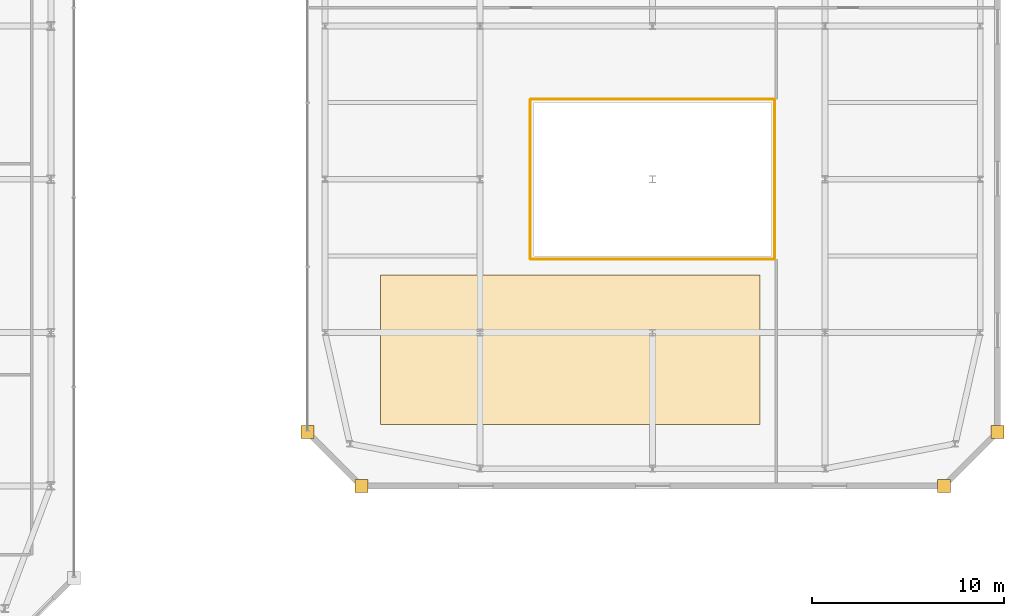
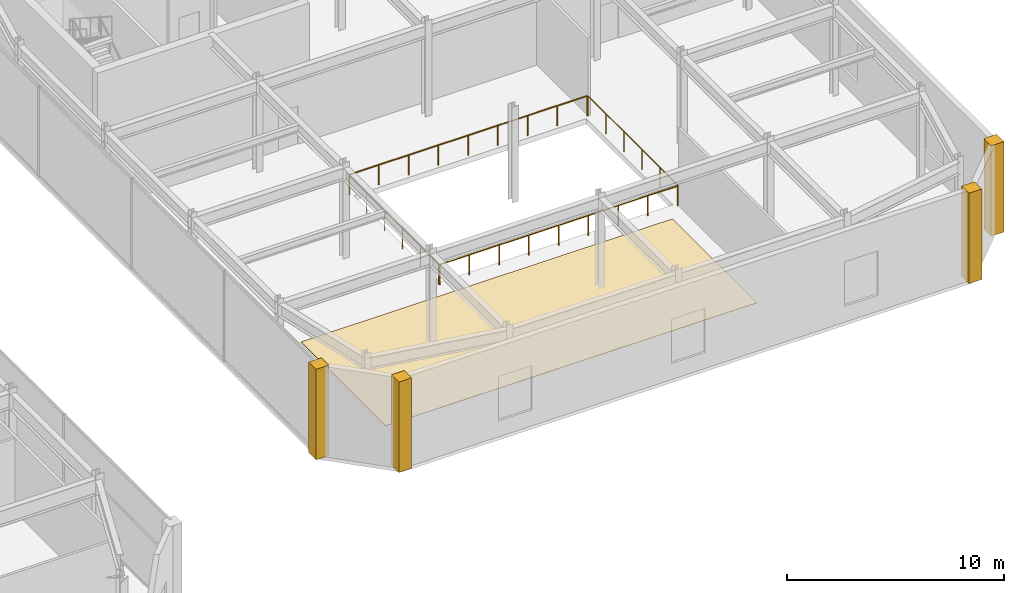
# One storey, part 50 of 52: 5 coverings, 4 railings.
"""IFC4 building model written with IfcOpenShell, lengths in metres."""

import ifcopenshell
import ifcopenshell.guid

model = None  # the IFC model being written
_history = None  # IfcOwnerHistory: only IFC2X3 demands one
_inside = {}  # id of a spatial element -> (the spatial element, [elements in it])
_under = {}  # id of a project, library or spatial element -> (it, [spatial elements below it])
_declared = {}  # id of a project -> (the project, [libraries it declares])
_typed = {}  # id of a type object -> (the type object, [elements of that type])
_made_of = {}  # id of a material, layer set ... -> (it, [elements and type objects made of it])


def new_model(schema):
    """Start an empty IFC model of exactly this schema.

    Asked for "IFC4X3", IfcOpenShell would pick the latest addendum, in which some entities
    have other attributes; the version numbers below select the first issue.
    IFC2X3 requires an IfcOwnerHistory on every rooted entity: one is made here for all.
    """
    global model, _history
    if schema == "IFC4X3":
        model = ifcopenshell.file(schema_version=(4, 3, 0, 0))
    else:
        model = ifcopenshell.file(schema=schema)
    _inside.clear()
    _under.clear()
    _declared.clear()
    _typed.clear()
    _made_of.clear()
    _history = None
    if model.schema == "IFC2X3":
        org = make("IfcOrganization", Name="unknown")
        user = make(
            "IfcPersonAndOrganization",
            ThePerson=make("IfcPerson", FamilyName="unknown"),
            TheOrganization=org,
        )
        app = make(
            "IfcApplication",
            ApplicationDeveloper=org,
            Version="unknown",
            ApplicationFullName="unknown",
            ApplicationIdentifier="unknown",
        )
        _history = make(
            "IfcOwnerHistory",
            OwningUser=user,
            OwningApplication=app,
            ChangeAction="ADDED",
            CreationDate=0,
        )
    return model


def make(cls, **values):
    """One entity of the class cls with the attributes given. An attribute that is None is left unset."""
    return model.create_entity(
        cls, **{name: value for name, value in values.items() if value is not None}
    )


def rooted(cls, **values):
    """An entity with a GlobalId (a new one), such as an element, a storey or a relation."""
    return make(cls, GlobalId=ifcopenshell.guid.new(), OwnerHistory=_history, **values)


def si_unit(unit_type, name, prefix=None):
    """IfcSIUnit, for example si_unit("LENGTHUNIT", "METRE", prefix="MILLI")."""
    return make("IfcSIUnit", UnitType=unit_type, Prefix=prefix, Name=name)


def assignment(units):
    """IfcUnitAssignment: the units of a project."""
    return None if units is None else make("IfcUnitAssignment", Units=units)


def point(xyz):
    """IfcCartesianPoint."""
    return None if xyz is None else make("IfcCartesianPoint", Coordinates=xyz)


def direction(xyz):
    """IfcDirection."""
    return None if xyz is None else make("IfcDirection", DirectionRatios=xyz)


def frame(location, z_axis=None, x_axis=None):
    """IfcAxis2Placement3D, a coordinate frame: its origin and axes. An axis left out is left unset."""
    return make(
        "IfcAxis2Placement3D",
        Location=point(location),
        Axis=direction(z_axis),
        RefDirection=direction(x_axis),
    )


def frame_2d(location, x_axis=None):
    """IfcAxis2Placement2D, a coordinate frame in the plane: its origin and x axis."""
    return make(
        "IfcAxis2Placement2D", Location=point(location), RefDirection=direction(x_axis)
    )


def origin():
    """The frame at (0, 0, 0) with its axes left unset."""
    return frame((0.0, 0.0, 0.0))


def origin_2d():
    """The frame at (0, 0) in the plane with its x axis left unset."""
    return frame_2d((0.0, 0.0))


def place(relative_to, where):
    """IfcLocalPlacement: puts the frame where relative to a parent placement (None: the world)."""
    return make(
        "IfcLocalPlacement", PlacementRelTo=relative_to, RelativePlacement=where
    )


def context(
    kind, dimensions, precision=None, world=None, true_north=None, identifier=None
):
    """IfcGeometricRepresentationContext, for example the 3D "Model" context."""
    return make(
        "IfcGeometricRepresentationContext",
        ContextIdentifier=identifier,
        ContextType=kind,
        CoordinateSpaceDimension=dimensions,
        Precision=precision,
        WorldCoordinateSystem=world,
        TrueNorth=true_north,
    )


def subcontext(parent, identifier, kind, view, scale=None):
    """IfcGeometricRepresentationSubContext, for example "Body" below "Model"."""
    return make(
        "IfcGeometricRepresentationSubContext",
        ContextIdentifier=identifier,
        ContextType=kind,
        ParentContext=parent,
        TargetScale=scale,
        TargetView=view,
    )


def project(units=None, contexts=None):
    """IfcProject with its units and contexts."""
    return rooted(
        "IfcProject",
        Name="project",
        RepresentationContexts=contexts,
        UnitsInContext=assignment(units),
    )


def spatial(cls, under=None, at=None, **own):
    """A site, building, storey or space (cls), placed at a placement, below another one or the project."""
    s = rooted(cls, ObjectPlacement=at, **own)
    if under is not None:
        _under.setdefault(under.id(), (under, []))[1].append(s)
    return s


def polyline(points):
    """IfcPolyline through the points."""
    return make("IfcPolyline", Points=[point(p) for p in points])


def profile(cls, at=None, kind="AREA", **sizes):
    """A parametric profile (cls). Its sizes go by their IFC names, for example OverallWidth=200.0."""
    return make(cls, ProfileType=kind, Position=at, **sizes)


def circle(**sizes):
    """IfcCircleProfileDef."""
    return profile("IfcCircleProfileDef", **sizes)


def outline(outer, holes=None, kind="AREA"):
    """IfcArbitraryClosedProfileDef: a profile drawn as a closed curve; with holes, ...WithVoids."""
    if holes is None:
        return make("IfcArbitraryClosedProfileDef", ProfileType=kind, OuterCurve=outer)
    return make(
        "IfcArbitraryProfileDefWithVoids",
        ProfileType=kind,
        OuterCurve=outer,
        InnerCurves=holes,
    )


def extrude(swept, where, along, depth):
    """IfcExtrudedAreaSolid: the profile swept, set in the frame where, extruded along a direction by depth."""
    return make(
        "IfcExtrudedAreaSolid",
        SweptArea=swept,
        Position=where,
        ExtrudedDirection=direction(along),
        Depth=depth,
    )


def shape(context_of_items, identifier, shape_type, items):
    """IfcShapeRepresentation: the items that make up one representation, for example the "Body"."""
    return make(
        "IfcShapeRepresentation",
        ContextOfItems=context_of_items,
        RepresentationIdentifier=identifier,
        RepresentationType=shape_type,
        Items=items,
    )


def material(Name=None, Category=None):
    """IfcMaterial."""
    return make("IfcMaterial", Name=Name, Category=Category)


def layer(
    of_material, thickness, ventilated=None, Name=None, Category=None, Priority=None
):
    """IfcMaterialLayer: one layer of a wall or slab, of a material (None: an air gap)."""
    return make(
        "IfcMaterialLayer",
        Material=of_material,
        LayerThickness=thickness,
        IsVentilated=ventilated,
        Name=Name,
        Category=Category,
        Priority=Priority,
    )


def layer_set(layers, Name=None):
    """IfcMaterialLayerSet."""
    return make("IfcMaterialLayerSet", MaterialLayers=layers, LayerSetName=Name)


def made_of(thing, what):
    """Note that an element or type object is made of a material, layer set ...; save() writes the relation."""
    if what is not None:
        _made_of.setdefault(what.id(), (what, []))[1].append(thing)
    return thing


def type_object(cls, material=None, **own):
    """A type object (cls), such as IfcWallType, which elements share."""
    return made_of(rooted(cls, **own), material)


def element(
    cls,
    number,
    at=None,
    inside=None,
    cuts=None,
    type_object=None,
    material=None,
    context=None,
    identifier="Body",
    shape_type=None,
    held_by="IfcProductDefinitionShape",
    body=None,
    shapes=None,
    **own,
):
    """One element of the class cls, such as IfcWall. Its Tag is "e" and its number.

    at: its placement. inside: the storey or other place that contains it. cuts: it is an
    opening in that element (IfcRelVoidsElement). A single representation is given by context,
    identifier, shape_type and body (its items); several are given by shapes. held_by: the class
    of the entity that holds the representations. save() writes the other relations.
    """
    e = rooted(cls, Tag="e%d" % number, ObjectPlacement=at, **own)
    if body is not None:
        shapes = [shape(context, identifier, shape_type, body)]
    if shapes is not None:
        e.Representation = make(held_by, Representations=shapes)
    if inside is not None:
        _inside.setdefault(inside.id(), (inside, []))[1].append(e)
    if cuts is not None:
        rooted(
            "IfcRelVoidsElement", RelatingBuildingElement=cuts, RelatedOpeningElement=e
        )
    if type_object is not None:
        _typed.setdefault(type_object.id(), (type_object, []))[1].append(e)
    return made_of(e, material)


def aggregate(whole, parts):
    """IfcRelAggregates: a whole, such as a stair, and the parts it consists of."""
    return rooted("IfcRelAggregates", RelatingObject=whole, RelatedObjects=parts)


def save(model, path):
    """Write the relations noted so far, then the file.

    IfcRelAggregates (storeys below a building ...), IfcRelContainedInSpatialStructure (elements
    in a storey), IfcRelDefinesByType, IfcRelAssociatesMaterial and IfcRelDeclares: one each for
    every whole, place, type object, material and project.
    """
    for whole, parts in _under.values():
        aggregate(whole, parts)
    for where, things in _inside.values():
        rooted(
            "IfcRelContainedInSpatialStructure",
            RelatedElements=things,
            RelatingStructure=where,
        )
    for kind, things in _typed.values():
        rooted("IfcRelDefinesByType", RelatedObjects=things, RelatingType=kind)
    for what, things in _made_of.values():
        rooted("IfcRelAssociatesMaterial", RelatedObjects=things, RelatingMaterial=what)
    for by, libraries in _declared.values():
        rooted("IfcRelDeclares", RelatingContext=by, RelatedDefinitions=libraries)
    model.write(path)


model = new_model("IFC4")

# Units and contexts
model_context = context("Model", 3, precision=1e-05, world=origin(), true_north=direction((0.0, 1.0)))
body_context = subcontext(model_context, "Body", "Model", "MODEL_VIEW")
ifc_project = project(units=[si_unit("LENGTHUNIT", "METRE"), si_unit("AREAUNIT", "SQUARE_METRE"), si_unit("VOLUMEUNIT", "CUBIC_METRE"), si_unit("PLANEANGLEUNIT", "RADIAN"), si_unit("MASSUNIT", "GRAM", prefix="KILO")], contexts=[model_context])

# Site, building, storey
site_placement = place(None, origin())
site = spatial("IfcSite", under=ifc_project, at=site_placement, CompositionType="ELEMENT")
building_placement = place(site_placement, origin())
building = spatial("IfcBuilding", under=site, at=building_placement, Name="Saevonmaru Cultural Tower", CompositionType="ELEMENT")
storey_placement = place(building_placement, frame((0.0, 0.0, 16.800048828125)))
storey = spatial("IfcBuildingStorey", under=building, at=storey_placement, Name="L03", CompositionType="ELEMENT", Elevation=16.800048828125)

# Coverings
ifc_material_1 = material(Name="Satin Bronze Anodised Aluminium", Category="aluminium")
ifc_layer_1 = layer(ifc_material_1, 0.679931640625, Name="Satin Bronze Anodised Aluminium")
ifc_layer_set_1 = layer_set([ifc_layer_1], Name="Satin Bronze Anodised Aluminium")
covering_type_1 = type_object("IfcCoveringType", Name="CV-CORNER-CLAD", PredefinedType="CLADDING", material=ifc_layer_set_1)
covering_1_placement = place(storey_placement, origin())
element("IfcCovering", 1, at=covering_1_placement, inside=storey, type_object=covering_type_1, Name="L03 Library Bronze Corner Cladding Pier 1", PredefinedType="CLADDING", context=body_context, shape_type="SweptSolid", body=[
    extrude(outline(polyline([(71.860107421875, 10.4599609375), (72.5400390625, 10.4599609375), (72.5400390625, 11.139892578125), (71.860107421875, 11.139892578125), (71.860107421875, 10.4599609375)])), origin(), (0.0, 0.0, 1.0), 5.099853515625),
])
covering_2_placement = place(storey_placement, origin())
element("IfcCovering", 2, at=covering_2_placement, inside=storey, type_object=covering_type_1, Name="L03 Library Bronze Corner Cladding Pier 2", PredefinedType="CLADDING", context=body_context, shape_type="SweptSolid", body=[
    extrude(outline(polyline([(74.659912109375, 7.659912109375), (75.340087890625, 7.659912109375), (75.340087890625, 8.340087890625), (74.659912109375, 8.340087890625), (74.659912109375, 7.659912109375)])), origin(), (0.0, 0.0, 1.0), 5.099853515625),
])
covering_3_placement = place(storey_placement, origin())
element("IfcCovering", 3, at=covering_3_placement, inside=storey, type_object=covering_type_1, Name="L03 Library Bronze Corner Cladding Pier 3", PredefinedType="CLADDING", context=body_context, shape_type="SweptSolid", body=[
    extrude(outline(polyline([(105.06005859375, 7.659912109375), (105.739990234375, 7.659912109375), (105.739990234375, 8.340087890625), (105.06005859375, 8.340087890625), (105.06005859375, 7.659912109375)])), origin(), (0.0, 0.0, 1.0), 5.099853515625),
])
covering_4_placement = place(storey_placement, origin())
element("IfcCovering", 4, at=covering_4_placement, inside=storey, type_object=covering_type_1, Name="L03 Library Bronze Corner Cladding Pier 4", PredefinedType="CLADDING", context=body_context, shape_type="SweptSolid", body=[
    extrude(outline(polyline([(107.860107421875, 10.4599609375), (108.5400390625, 10.4599609375), (108.5400390625, 11.139892578125), (107.860107421875, 11.139892578125), (107.860107421875, 10.4599609375)])), origin(), (0.0, 0.0, 1.0), 5.099853515625),
])
ifc_material_2 = material(Name="Engineered Acoustic Oak Flooring", Category="wood")
ifc_layer_2 = layer(ifc_material_2, 0.02392578125, Name="Engineered Acoustic Oak Flooring")
ifc_layer_set_2 = layer_set([ifc_layer_2], Name="Engineered Acoustic Oak Flooring")
covering_type_2 = type_object("IfcCoveringType", Name="CV-FLR-OAK", PredefinedType="FLOORING", material=ifc_layer_set_2)
covering_5_placement = place(storey_placement, origin())
element("IfcCovering", 5, at=covering_5_placement, inside=storey, type_object=covering_type_2, Name="L03 Library Reading Hall Acoustic Oak Flooring", PredefinedType="FLOORING", context=body_context, shape_type="SweptSolid", body=[
    extrude(outline(polyline([(76.0, 11.199951171875), (95.800048828125, 11.199951171875), (95.800048828125, 19.0), (76.0, 19.0), (76.0, 11.199951171875)])), origin(), (0.0, 0.0, 1.0), 0.02392578125),
])

# Railings
railing_type = type_object("IfcRailingType", Name="RL-ATRIUM-1150", PredefinedType="GUARDRAIL", material=ifc_material_1)
railing_1_placement = place(storey_placement, frame((83.860107421875, 19.820068359375, 0.0)))
element("IfcRailing", 6, at=railing_1_placement, inside=storey, type_object=railing_type, Name="L03 Library Reading Atrium Guardrail Seg 1", PredefinedType="GUARDRAIL", context=body_context, shape_type="SweptSolid", body=[
    extrude(circle(Radius=0.02392578125, at=origin_2d()), frame((0.0, 0.0, 1.1259765625), z_axis=(1.0, 0.0, 0.0), x_axis=(0.0, 1.0, 0.0)), (0.0, 0.0, 1.0), 12.679931640625),
    extrude(circle(Radius=0.02099609375, at=origin_2d()), origin(), (0.0, 0.0, 1.0), 1.101806640625),
    extrude(circle(Radius=0.02099609375, at=origin_2d()), frame((1.5849609375, 0.0, 0.0)), (0.0, 0.0, 1.0), 1.101806640625),
    extrude(circle(Radius=0.02099609375, at=origin_2d()), frame((3.169921875, 0.0, 0.0)), (0.0, 0.0, 1.0), 1.101806640625),
    extrude(circle(Radius=0.02099609375, at=origin_2d()), frame((4.7548828125, 0.0, 0.0)), (0.0, 0.0, 1.0), 1.101806640625),
    extrude(circle(Radius=0.02099609375, at=origin_2d()), frame((6.33984375, 0.0, 0.0)), (0.0, 0.0, 1.0), 1.101806640625),
    extrude(circle(Radius=0.02099609375, at=origin_2d()), frame((7.925048828125, 0.0, 0.0)), (0.0, 0.0, 1.0), 1.101806640625),
    extrude(circle(Radius=0.02099609375, at=origin_2d()), frame((9.510009765625, 0.0, 0.0)), (0.0, 0.0, 1.0), 1.101806640625),
    extrude(circle(Radius=0.02099609375, at=origin_2d()), frame((11.094970703125, 0.0, 0.0)), (0.0, 0.0, 1.0), 1.101806640625),
    extrude(circle(Radius=0.02099609375, at=origin_2d()), frame((12.679931640625, 0.0, 0.0)), (0.0, 0.0, 1.0), 1.101806640625),
])
railing_2_placement = place(storey_placement, frame((96.580078125, 19.860107421875, 0.0)))
element("IfcRailing", 7, at=railing_2_placement, inside=storey, type_object=railing_type, Name="L03 Library Reading Atrium Guardrail Seg 2", PredefinedType="GUARDRAIL", context=body_context, shape_type="SweptSolid", body=[
    extrude(circle(Radius=0.02392578125, at=origin_2d()), frame((0.0, 0.0, 1.1259765625), z_axis=(0.0, 1.0, 0.0), x_axis=(-1.0, 0.0, 0.0)), (0.0, 0.0, 1.0), 8.27978515625),
    extrude(circle(Radius=0.02099609375, at=origin_2d()), origin(), (0.0, 0.0, 1.0), 1.101806640625),
    extrude(circle(Radius=0.02099609375, at=origin_2d()), frame((0.0, 1.656005859375, 0.0)), (0.0, 0.0, 1.0), 1.101806640625),
    extrude(circle(Radius=0.02099609375, at=origin_2d()), frame((0.0, 3.31201171875, 0.0)), (0.0, 0.0, 1.0), 1.101806640625),
    extrude(circle(Radius=0.02099609375, at=origin_2d()), frame((0.0, 4.9677734375, 0.0)), (0.0, 0.0, 1.0), 1.101806640625),
    extrude(circle(Radius=0.02099609375, at=origin_2d()), frame((0.0, 6.623779296875, 0.0)), (0.0, 0.0, 1.0), 1.101806640625),
    extrude(circle(Radius=0.02099609375, at=origin_2d()), frame((0.0, 8.27978515625, 0.0)), (0.0, 0.0, 1.0), 1.101806640625),
])
railing_3_placement = place(storey_placement, frame((96.5400390625, 28.179931640625, 0.0)))
element("IfcRailing", 8, at=railing_3_placement, inside=storey, type_object=railing_type, Name="L03 Library Reading Atrium Guardrail Seg 3", PredefinedType="GUARDRAIL", context=body_context, shape_type="SweptSolid", body=[
    extrude(circle(Radius=0.02392578125, at=origin_2d()), frame((0.0, 0.0, 1.1259765625), z_axis=(-1.0, 0.0, 0.0), x_axis=(0.0, -1.0, 0.0)), (0.0, 0.0, 1.0), 12.679931640625),
    extrude(circle(Radius=0.02099609375, at=origin_2d()), origin(), (0.0, 0.0, 1.0), 1.101806640625),
    extrude(circle(Radius=0.02099609375, at=origin_2d()), frame((-1.5849609375, 0.0, 0.0)), (0.0, 0.0, 1.0), 1.101806640625),
    extrude(circle(Radius=0.02099609375, at=origin_2d()), frame((-3.169921875, 0.0, 0.0)), (0.0, 0.0, 1.0), 1.101806640625),
    extrude(circle(Radius=0.02099609375, at=origin_2d()), frame((-4.7548828125, 0.0, 0.0)), (0.0, 0.0, 1.0), 1.101806640625),
    extrude(circle(Radius=0.02099609375, at=origin_2d()), frame((-6.33984375, 0.0, 0.0)), (0.0, 0.0, 1.0), 1.101806640625),
    extrude(circle(Radius=0.02099609375, at=origin_2d()), frame((-7.925048828125, 0.0, 0.0)), (0.0, 0.0, 1.0), 1.101806640625),
    extrude(circle(Radius=0.02099609375, at=origin_2d()), frame((-9.510009765625, 0.0, 0.0)), (0.0, 0.0, 1.0), 1.101806640625),
    extrude(circle(Radius=0.02099609375, at=origin_2d()), frame((-11.094970703125, 0.0, 0.0)), (0.0, 0.0, 1.0), 1.101806640625),
    extrude(circle(Radius=0.02099609375, at=origin_2d()), frame((-12.679931640625, 0.0, 0.0)), (0.0, 0.0, 1.0), 1.101806640625),
])
railing_4_placement = place(storey_placement, frame((83.820068359375, 28.139892578125, 0.0)))
element("IfcRailing", 9, at=railing_4_placement, inside=storey, type_object=railing_type, Name="L03 Library Reading Atrium Guardrail Seg 4", PredefinedType="GUARDRAIL", context=body_context, shape_type="SweptSolid", body=[
    extrude(circle(Radius=0.02392578125, at=origin_2d()), frame((0.0, 0.0, 1.1259765625), z_axis=(0.0, -1.0, 0.0), x_axis=(1.0, 0.0, 0.0)), (0.0, 0.0, 1.0), 8.27978515625),
    extrude(circle(Radius=0.02099609375, at=origin_2d()), origin(), (0.0, 0.0, 1.0), 1.101806640625),
    extrude(circle(Radius=0.02099609375, at=origin_2d()), frame((0.0, -1.656005859375, 0.0)), (0.0, 0.0, 1.0), 1.101806640625),
    extrude(circle(Radius=0.02099609375, at=origin_2d()), frame((0.0, -3.31201171875, 0.0)), (0.0, 0.0, 1.0), 1.101806640625),
    extrude(circle(Radius=0.02099609375, at=origin_2d()), frame((0.0, -4.9677734375, 0.0)), (0.0, 0.0, 1.0), 1.101806640625),
    extrude(circle(Radius=0.02099609375, at=origin_2d()), frame((0.0, -6.623779296875, 0.0)), (0.0, 0.0, 1.0), 1.101806640625),
    extrude(circle(Radius=0.02099609375, at=origin_2d()), frame((0.0, -8.27978515625, 0.0)), (0.0, 0.0, 1.0), 1.101806640625),
])

save(model, "model.ifc")
